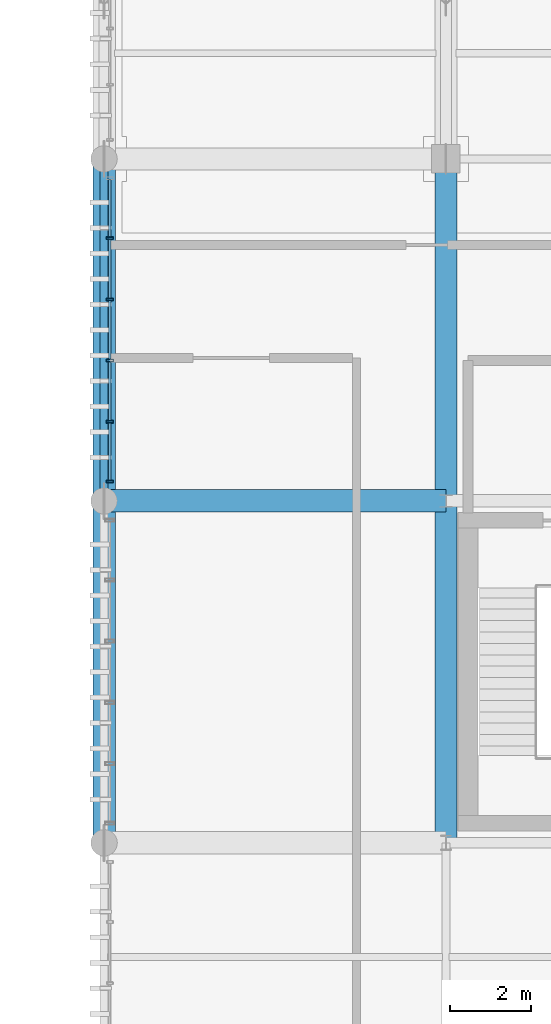
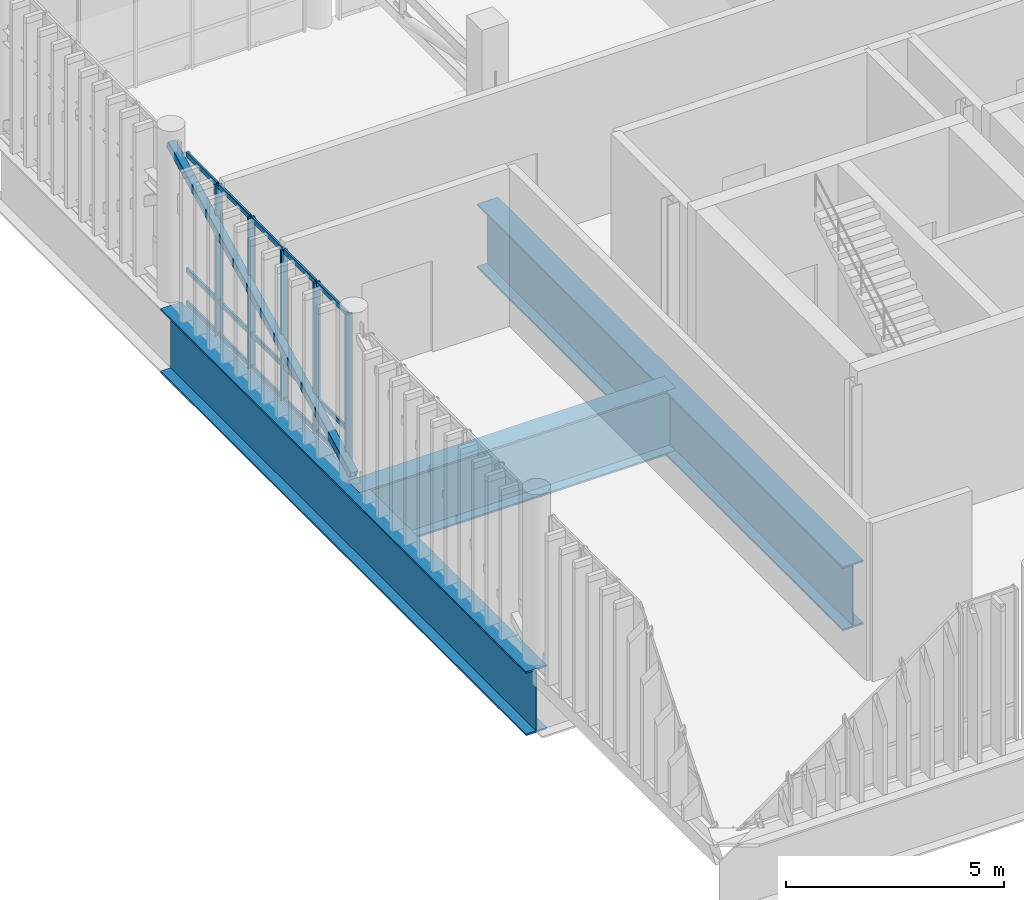
# One storey, part 46 of 81: 21 members, 3 beams, 1 element without a shape of its own.
"""IFC4 building model written with IfcOpenShell, lengths in metres."""

from ifc_helpers import new_model, si_unit, direction, frame, origin_with_axes, origin_2d_with_axis, place, context, subcontext, project, spatial, hollow_rectangle, i_section, extrude, material, material_profile, profile_set, type_object, element, aggregate, save


model = new_model("IFC4")

# Units and contexts
model_context = context("Model", 3, precision=1e-05, world=origin_with_axes(), true_north=direction((0.0, 1.0)))
body_context = subcontext(model_context, "Body", "Model", "MODEL_VIEW")
ifc_project = project(units=[si_unit("LENGTHUNIT", "METRE"), si_unit("AREAUNIT", "SQUARE_METRE"), si_unit("VOLUMEUNIT", "CUBIC_METRE"), si_unit("PLANEANGLEUNIT", "RADIAN"), si_unit("MASSUNIT", "GRAM", prefix="KILO"), si_unit("THERMODYNAMICTEMPERATUREUNIT", "KELVIN")], contexts=[model_context])

# Site, building, storey
site_placement = place(None, origin_with_axes())
site = spatial("IfcSite", under=ifc_project, at=site_placement, CompositionType="ELEMENT")
building_placement = place(site_placement, origin_with_axes())
building = spatial("IfcBuilding", under=site, at=building_placement, Name="Montbau Bow Law Courts", CompositionType="ELEMENT")
storey_placement = place(building_placement, frame((0.0, 0.0, 24.9), z_axis=(0.0, 0.0, 1.0), x_axis=(1.0, 0.0, 0.0)))
storey = spatial("IfcBuildingStorey", under=building, at=storey_placement, Name="L05", CompositionType="ELEMENT", Elevation=24.9)

# Beams
ifc_material_1 = material(Name="Steel CSA G40.21 Grade 350WT (350 MPa)", Category="steel")
ifc_material_profile_1 = material_profile(ifc_material_1, i_section(OverallWidth=0.55, OverallDepth=1.8, WebThickness=0.022, FlangeThickness=0.05, at=origin_2d_with_axis()), Name="WWF1800X550", Category="Main", Priority=0)
ifc_profile_set_1 = profile_set([ifc_material_profile_1], Name="Steel CSA G40.21 Grade 350WT (350 MPa)")
beam_type = type_object("IfcBeamType", Name="B-TRG-01", PredefinedType="USERDEFINED", material=ifc_profile_set_1)
for number, where, z_axis, x_axis, name in (
    (1, (138.6, 86.4, 23.7), (0.0, 1.0, 0.0), (-1.0, 0.0, 0.0), "TRG-L05-S0076:bm2_0079"),
    (2, (147.0, 86.4, 23.7), (0.0, 1.0, 0.0), (-1.0, 0.0, 0.0), "TRG-L05-S0078:bm2_0081"),
):
    element("IfcBeam", number, at=place(None, frame(where, z_axis=z_axis, x_axis=x_axis)), inside=storey, type_object=beam_type, Name=name, ObjectType="GIRDER", PredefinedType="USERDEFINED", context=body_context, shape_type="SweptSolid", body=[
        extrude(i_section(OverallWidth=0.55, OverallDepth=1.8, WebThickness=0.022, FlangeThickness=0.05, at=origin_2d_with_axis()), origin_with_axes(), (0.0, 0.0, 1.0), 16.8),
    ])
beam_placement = place(None, frame((138.6, 94.8, 23.7), z_axis=(1.0, 0.0, 0.0), x_axis=(0.0, 1.0, 0.0)))
element("IfcBeam", 3, at=beam_placement, inside=storey, type_object=beam_type, Name="TRG-L05-S0092:bm2_0095", ObjectType="GIRDER", PredefinedType="USERDEFINED", context=body_context, shape_type="SweptSolid", body=[
    extrude(i_section(OverallWidth=0.55, OverallDepth=1.8, WebThickness=0.022, FlangeThickness=0.05, at=origin_2d_with_axis()), origin_with_axes(), (0.0, 0.0, 1.0), 8.4),
])

# Member
ifc_material_2 = material(Name="Steel CSA G40.21 Grade 350W (350 MPa)", Category="steel")
ifc_material_profile_2 = material_profile(ifc_material_2, hollow_rectangle(XDim=0.203, YDim=0.203, WallThickness=0.0111, InnerFilletRadius=0.0222, OuterFilletRadius=0.0111, at=origin_2d_with_axis()), Name="HSS203X203X11", Category="Main", Priority=0)
ifc_profile_set_2 = profile_set([ifc_material_profile_2], Name="Steel CSA G40.21 Grade 350W (350 MPa)")
member_type_1 = type_object("IfcMemberType", Name="M-BRC-02", PredefinedType="BRACE", material=ifc_profile_set_2)
member_1_placement = place(None, frame((138.6, 94.8, 24.95), z_axis=(0.0, 0.894128949, 0.447809582), x_axis=(-1.0, 0.0, 0.0)))
element("IfcMember", 4, at=member_1_placement, inside=storey, type_object=member_type_1, Name="Diagonal brace CBF-L05-070A", PredefinedType="BRACE", context=body_context, shape_type="SweptSolid", body=[
    extrude(hollow_rectangle(XDim=0.203, YDim=0.203, WallThickness=0.0111, InnerFilletRadius=0.0222, OuterFilletRadius=0.0111, at=origin_2d_with_axis()), origin_with_axes(), (0.0, 0.0, 1.0), 9.394618),
])

# Curtain wall, members
ifc_material_3 = material(Name="Thermally Broken Extruded Aluminium AA 6063-T6", Category="aluminium")
curtain_wall_type = type_object("IfcCurtainWallType", Name="CW-SLT-02", PredefinedType="NOTDEFINED", material=ifc_material_3)
curtain_wall_placement = place(None, frame((138.74, 95.24, 24.9), z_axis=(0.0, 0.0, 1.0), x_axis=(1.0, 0.0, 0.0)))
curtain_wall = element("IfcCurtainWall", 5, at=curtain_wall_placement, inside=storey, type_object=curtain_wall_type, Name="CW-L05-343:cw_0343", PredefinedType="NOTDEFINED")
ifc_material_profile_3 = material_profile(ifc_material_3, hollow_rectangle(XDim=0.065, YDim=0.18, WallThickness=0.005, InnerFilletRadius=0.01, OuterFilletRadius=0.005, at=origin_2d_with_axis()), Name="CWM-180X65", Category="Main", Priority=0)
ifc_profile_set_3 = profile_set([ifc_material_profile_3], Name="Thermally Broken Extruded Aluminium AA 6063-T6")
member_type_2 = type_object("IfcMemberType", Name="M-MUL-02", PredefinedType="MULLION", material=ifc_profile_set_3)
member_2_placement = place(None, frame((138.74, 95.273, 24.9), z_axis=(0.0, 0.0, 1.0), x_axis=(0.0, 1.0, 0.0)))
member_2 = element("IfcMember", 6, at=member_2_placement, type_object=member_type_2, Name="CW-L05-343-M01:cw_0343_M01", PredefinedType="MULLION", context=body_context, shape_type="SweptSolid", body=[
    extrude(hollow_rectangle(XDim=0.065, YDim=0.18, WallThickness=0.005, InnerFilletRadius=0.01, OuterFilletRadius=0.005, at=origin_2d_with_axis()), origin_with_axes(), (0.0, 0.0, 1.0), 4.22),
])
member_3_placement = place(None, frame((138.74, 96.744, 24.9), z_axis=(0.0, 0.0, 1.0), x_axis=(0.0, 1.0, 0.0)))
member_3 = element("IfcMember", 7, at=member_3_placement, type_object=member_type_2, Name="CW-L05-343-M02:cw_0343_M02", PredefinedType="MULLION", context=body_context, shape_type="SweptSolid", body=[
    extrude(hollow_rectangle(XDim=0.065, YDim=0.18, WallThickness=0.005, InnerFilletRadius=0.01, OuterFilletRadius=0.005, at=origin_2d_with_axis()), origin_with_axes(), (0.0, 0.0, 1.0), 4.22),
])
member_4_placement = place(None, frame((138.74, 98.248, 24.9), z_axis=(0.0, 0.0, 1.0), x_axis=(0.0, 1.0, 0.0)))
member_4 = element("IfcMember", 8, at=member_4_placement, type_object=member_type_2, Name="CW-L05-343-M03:cw_0343_M03", PredefinedType="MULLION", context=body_context, shape_type="SweptSolid", body=[
    extrude(hollow_rectangle(XDim=0.065, YDim=0.18, WallThickness=0.005, InnerFilletRadius=0.01, OuterFilletRadius=0.005, at=origin_2d_with_axis()), origin_with_axes(), (0.0, 0.0, 1.0), 4.22),
])
member_5_placement = place(None, frame((138.74, 99.752, 24.9), z_axis=(0.0, 0.0, 1.0), x_axis=(0.0, 1.0, 0.0)))
member_5 = element("IfcMember", 9, at=member_5_placement, type_object=member_type_2, Name="CW-L05-343-M04:cw_0343_M04", PredefinedType="MULLION", context=body_context, shape_type="SweptSolid", body=[
    extrude(hollow_rectangle(XDim=0.065, YDim=0.18, WallThickness=0.005, InnerFilletRadius=0.01, OuterFilletRadius=0.005, at=origin_2d_with_axis()), origin_with_axes(), (0.0, 0.0, 1.0), 4.22),
])
member_6_placement = place(None, frame((138.74, 101.256, 24.9), z_axis=(0.0, 0.0, 1.0), x_axis=(0.0, 1.0, 0.0)))
member_6 = element("IfcMember", 10, at=member_6_placement, type_object=member_type_2, Name="CW-L05-343-M05:cw_0343_M05", PredefinedType="MULLION", context=body_context, shape_type="SweptSolid", body=[
    extrude(hollow_rectangle(XDim=0.065, YDim=0.18, WallThickness=0.005, InnerFilletRadius=0.01, OuterFilletRadius=0.005, at=origin_2d_with_axis()), origin_with_axes(), (0.0, 0.0, 1.0), 4.22),
])
ifc_material_profile_4 = material_profile(ifc_material_3, hollow_rectangle(XDim=0.055, YDim=0.14, WallThickness=0.004, InnerFilletRadius=0.008, OuterFilletRadius=0.004, at=origin_2d_with_axis()), Name="CWT-140X55", Category="Main", Priority=0)
ifc_profile_set_4 = profile_set([ifc_material_profile_4], Name="Thermally Broken Extruded Aluminium AA 6063-T6")
member_type_3 = type_object("IfcMemberType", Name="M-TRN-02", PredefinedType="USERDEFINED", material=ifc_profile_set_4)
member_7_placement = place(None, frame((138.74, 95.308, 24.927), z_axis=(0.0, 1.0, 0.0), x_axis=(-1.0, 0.0, 0.0)))
member_7 = element("IfcMember", 11, at=member_7_placement, type_object=member_type_3, Name="CW-L05-343-T01-1:cw_0343_T01_1", ObjectType="TRANSOM", PredefinedType="USERDEFINED", context=body_context, shape_type="SweptSolid", body=[
    extrude(hollow_rectangle(XDim=0.055, YDim=0.14, WallThickness=0.004, InnerFilletRadius=0.008, OuterFilletRadius=0.004, at=origin_2d_with_axis()), origin_with_axes(), (0.0, 0.0, 1.0), 1.402),
])
member_8_placement = place(None, frame((138.74, 95.308, 25.85), z_axis=(0.0, 1.0, 0.0), x_axis=(-1.0, 0.0, 0.0)))
member_8 = element("IfcMember", 12, at=member_8_placement, type_object=member_type_3, Name="CW-L05-343-T01-2:cw_0343_T01_2", ObjectType="TRANSOM", PredefinedType="USERDEFINED", context=body_context, shape_type="SweptSolid", body=[
    extrude(hollow_rectangle(XDim=0.055, YDim=0.14, WallThickness=0.004, InnerFilletRadius=0.008, OuterFilletRadius=0.004, at=origin_2d_with_axis()), origin_with_axes(), (0.0, 0.0, 1.0), 1.402),
])
member_9_placement = place(None, frame((138.74, 95.308, 29.093), z_axis=(0.0, 1.0, 0.0), x_axis=(-1.0, 0.0, 0.0)))
member_9 = element("IfcMember", 13, at=member_9_placement, type_object=member_type_3, Name="CW-L05-343-T01-3:cw_0343_T01_3", ObjectType="TRANSOM", PredefinedType="USERDEFINED", context=body_context, shape_type="SweptSolid", body=[
    extrude(hollow_rectangle(XDim=0.055, YDim=0.14, WallThickness=0.004, InnerFilletRadius=0.008, OuterFilletRadius=0.004, at=origin_2d_with_axis()), origin_with_axes(), (0.0, 0.0, 1.0), 1.402),
])
member_10_placement = place(None, frame((138.74, 96.778, 24.927), z_axis=(0.0, 1.0, 0.0), x_axis=(-1.0, 0.0, 0.0)))
member_10 = element("IfcMember", 14, at=member_10_placement, type_object=member_type_3, Name="CW-L05-343-T02-1:cw_0343_T02_1", ObjectType="TRANSOM", PredefinedType="USERDEFINED", context=body_context, shape_type="SweptSolid", body=[
    extrude(hollow_rectangle(XDim=0.055, YDim=0.14, WallThickness=0.004, InnerFilletRadius=0.008, OuterFilletRadius=0.004, at=origin_2d_with_axis()), origin_with_axes(), (0.0, 0.0, 1.0), 1.436),
])
member_11_placement = place(None, frame((138.74, 96.778, 25.85), z_axis=(0.0, 1.0, 0.0), x_axis=(-1.0, 0.0, 0.0)))
member_11 = element("IfcMember", 15, at=member_11_placement, type_object=member_type_3, Name="CW-L05-343-T02-2:cw_0343_T02_2", ObjectType="TRANSOM", PredefinedType="USERDEFINED", context=body_context, shape_type="SweptSolid", body=[
    extrude(hollow_rectangle(XDim=0.055, YDim=0.14, WallThickness=0.004, InnerFilletRadius=0.008, OuterFilletRadius=0.004, at=origin_2d_with_axis()), origin_with_axes(), (0.0, 0.0, 1.0), 1.436),
])
member_12_placement = place(None, frame((138.74, 96.778, 29.093), z_axis=(0.0, 1.0, 0.0), x_axis=(-1.0, 0.0, 0.0)))
member_12 = element("IfcMember", 16, at=member_12_placement, type_object=member_type_3, Name="CW-L05-343-T02-3:cw_0343_T02_3", ObjectType="TRANSOM", PredefinedType="USERDEFINED", context=body_context, shape_type="SweptSolid", body=[
    extrude(hollow_rectangle(XDim=0.055, YDim=0.14, WallThickness=0.004, InnerFilletRadius=0.008, OuterFilletRadius=0.004, at=origin_2d_with_axis()), origin_with_axes(), (0.0, 0.0, 1.0), 1.436),
])
member_13_placement = place(None, frame((138.74, 98.282, 24.927), z_axis=(0.0, 1.0, 0.0), x_axis=(-1.0, 0.0, 0.0)))
member_13 = element("IfcMember", 17, at=member_13_placement, type_object=member_type_3, Name="CW-L05-343-T03-1:cw_0343_T03_1", ObjectType="TRANSOM", PredefinedType="USERDEFINED", context=body_context, shape_type="SweptSolid", body=[
    extrude(hollow_rectangle(XDim=0.055, YDim=0.14, WallThickness=0.004, InnerFilletRadius=0.008, OuterFilletRadius=0.004, at=origin_2d_with_axis()), origin_with_axes(), (0.0, 0.0, 1.0), 1.436),
])
member_14_placement = place(None, frame((138.74, 98.282, 25.85), z_axis=(0.0, 1.0, 0.0), x_axis=(-1.0, 0.0, 0.0)))
member_14 = element("IfcMember", 18, at=member_14_placement, type_object=member_type_3, Name="CW-L05-343-T03-2:cw_0343_T03_2", ObjectType="TRANSOM", PredefinedType="USERDEFINED", context=body_context, shape_type="SweptSolid", body=[
    extrude(hollow_rectangle(XDim=0.055, YDim=0.14, WallThickness=0.004, InnerFilletRadius=0.008, OuterFilletRadius=0.004, at=origin_2d_with_axis()), origin_with_axes(), (0.0, 0.0, 1.0), 1.436),
])
member_15_placement = place(None, frame((138.74, 98.282, 29.093), z_axis=(0.0, 1.0, 0.0), x_axis=(-1.0, 0.0, 0.0)))
member_15 = element("IfcMember", 19, at=member_15_placement, type_object=member_type_3, Name="CW-L05-343-T03-3:cw_0343_T03_3", ObjectType="TRANSOM", PredefinedType="USERDEFINED", context=body_context, shape_type="SweptSolid", body=[
    extrude(hollow_rectangle(XDim=0.055, YDim=0.14, WallThickness=0.004, InnerFilletRadius=0.008, OuterFilletRadius=0.004, at=origin_2d_with_axis()), origin_with_axes(), (0.0, 0.0, 1.0), 1.436),
])
member_16_placement = place(None, frame((138.74, 99.786, 24.927), z_axis=(0.0, 1.0, 0.0), x_axis=(-1.0, 0.0, 0.0)))
member_16 = element("IfcMember", 20, at=member_16_placement, type_object=member_type_3, Name="CW-L05-343-T04-1:cw_0343_T04_1", ObjectType="TRANSOM", PredefinedType="USERDEFINED", context=body_context, shape_type="SweptSolid", body=[
    extrude(hollow_rectangle(XDim=0.055, YDim=0.14, WallThickness=0.004, InnerFilletRadius=0.008, OuterFilletRadius=0.004, at=origin_2d_with_axis()), origin_with_axes(), (0.0, 0.0, 1.0), 1.436),
])
member_17_placement = place(None, frame((138.74, 99.786, 25.85), z_axis=(0.0, 1.0, 0.0), x_axis=(-1.0, 0.0, 0.0)))
member_17 = element("IfcMember", 21, at=member_17_placement, type_object=member_type_3, Name="CW-L05-343-T04-2:cw_0343_T04_2", ObjectType="TRANSOM", PredefinedType="USERDEFINED", context=body_context, shape_type="SweptSolid", body=[
    extrude(hollow_rectangle(XDim=0.055, YDim=0.14, WallThickness=0.004, InnerFilletRadius=0.008, OuterFilletRadius=0.004, at=origin_2d_with_axis()), origin_with_axes(), (0.0, 0.0, 1.0), 1.436),
])
member_18_placement = place(None, frame((138.74, 99.786, 29.093), z_axis=(0.0, 1.0, 0.0), x_axis=(-1.0, 0.0, 0.0)))
member_18 = element("IfcMember", 22, at=member_18_placement, type_object=member_type_3, Name="CW-L05-343-T04-3:cw_0343_T04_3", ObjectType="TRANSOM", PredefinedType="USERDEFINED", context=body_context, shape_type="SweptSolid", body=[
    extrude(hollow_rectangle(XDim=0.055, YDim=0.14, WallThickness=0.004, InnerFilletRadius=0.008, OuterFilletRadius=0.004, at=origin_2d_with_axis()), origin_with_axes(), (0.0, 0.0, 1.0), 1.436),
])
member_19_placement = place(None, frame((138.74, 101.29, 24.927), z_axis=(0.0, 1.0, 0.0), x_axis=(-1.0, 0.0, 0.0)))
member_19 = element("IfcMember", 23, at=member_19_placement, type_object=member_type_3, Name="CW-L05-343-T05-1:cw_0343_T05_1", ObjectType="TRANSOM", PredefinedType="USERDEFINED", context=body_context, shape_type="SweptSolid", body=[
    extrude(hollow_rectangle(XDim=0.055, YDim=0.14, WallThickness=0.004, InnerFilletRadius=0.008, OuterFilletRadius=0.004, at=origin_2d_with_axis()), origin_with_axes(), (0.0, 0.0, 1.0), 1.404),
])
member_20_placement = place(None, frame((138.74, 101.29, 25.85), z_axis=(0.0, 1.0, 0.0), x_axis=(-1.0, 0.0, 0.0)))
member_20 = element("IfcMember", 24, at=member_20_placement, type_object=member_type_3, Name="CW-L05-343-T05-2:cw_0343_T05_2", ObjectType="TRANSOM", PredefinedType="USERDEFINED", context=body_context, shape_type="SweptSolid", body=[
    extrude(hollow_rectangle(XDim=0.055, YDim=0.14, WallThickness=0.004, InnerFilletRadius=0.008, OuterFilletRadius=0.004, at=origin_2d_with_axis()), origin_with_axes(), (0.0, 0.0, 1.0), 1.404),
])
member_21_placement = place(None, frame((138.74, 101.29, 29.093), z_axis=(0.0, 1.0, 0.0), x_axis=(-1.0, 0.0, 0.0)))
member_21 = element("IfcMember", 25, at=member_21_placement, type_object=member_type_3, Name="CW-L05-343-T05-3:cw_0343_T05_3", ObjectType="TRANSOM", PredefinedType="USERDEFINED", context=body_context, shape_type="SweptSolid", body=[
    extrude(hollow_rectangle(XDim=0.055, YDim=0.14, WallThickness=0.004, InnerFilletRadius=0.008, OuterFilletRadius=0.004, at=origin_2d_with_axis()), origin_with_axes(), (0.0, 0.0, 1.0), 1.404),
])
aggregate(curtain_wall, [member_2, member_3, member_4, member_5, member_6, member_7, member_8, member_9, member_10, member_11, member_12, member_13, member_14, member_15, member_16, member_17, member_18, member_19, member_20, member_21])

save(model, "model.ifc")
